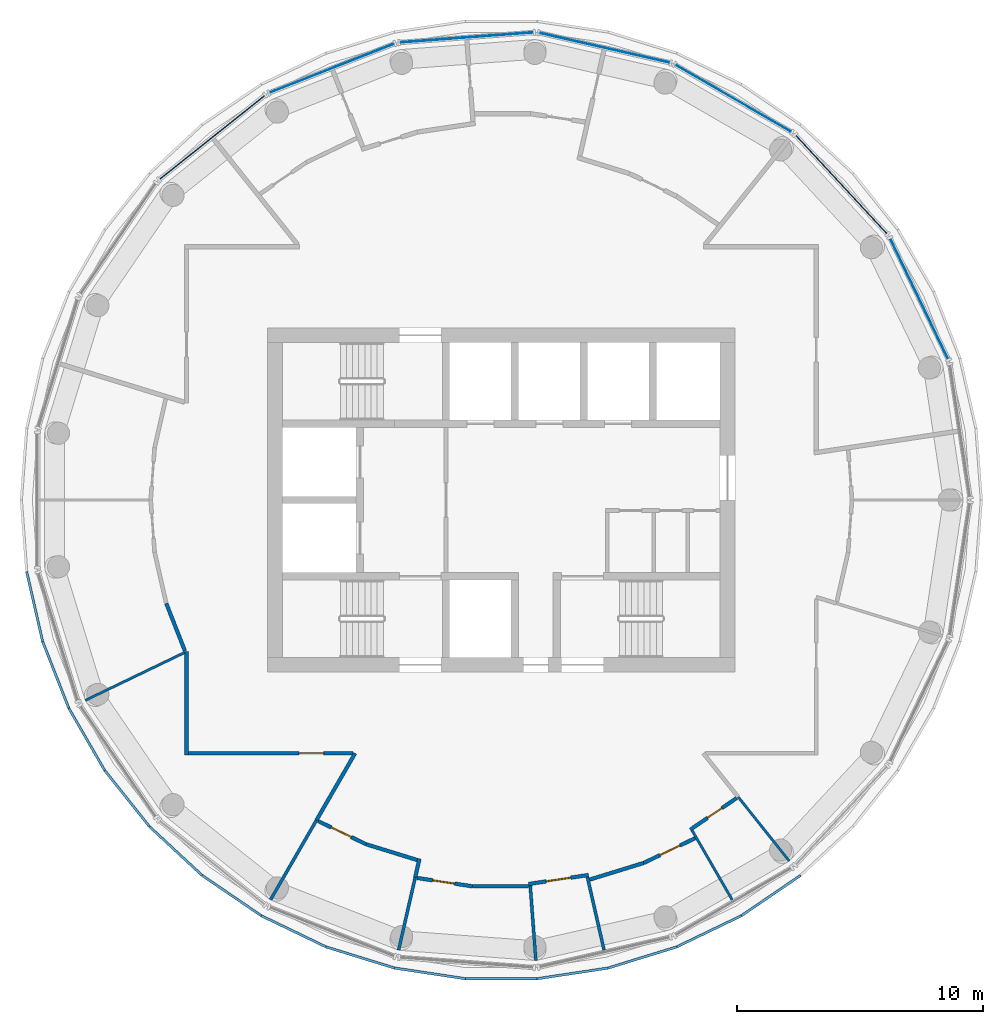
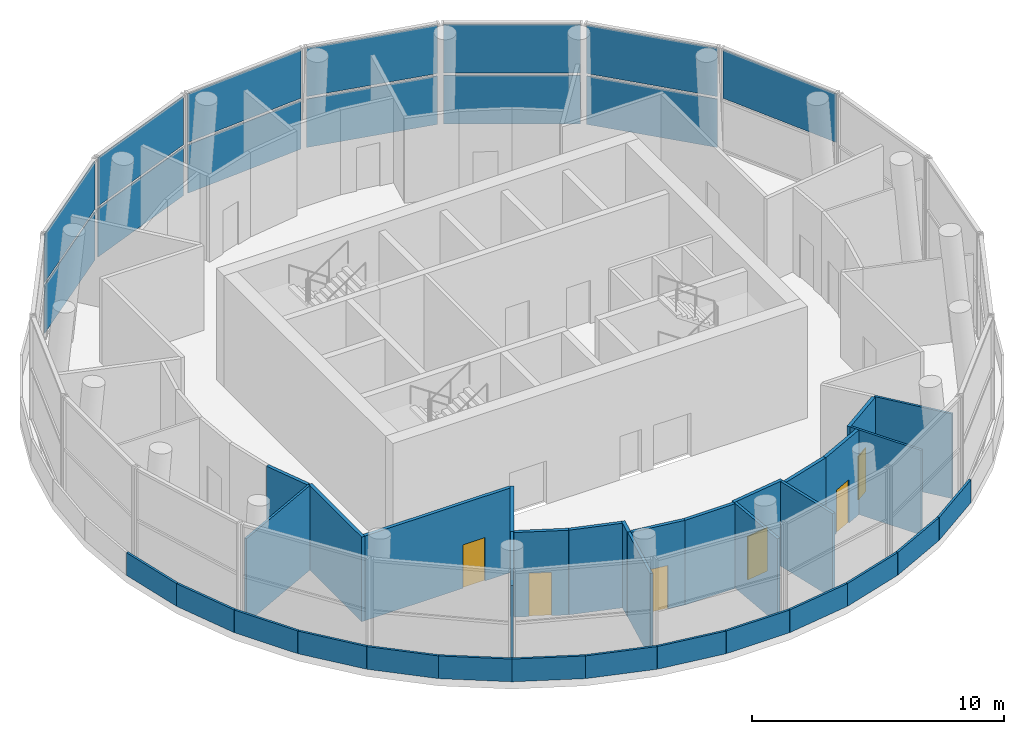
# One storey, part 4 of 10: 34 walls, 13 plates, 6 doors, 6 openings, 7 elements without a shape of their own.
"""IFC4 building model written with IfcOpenShell, lengths in metres."""

from ifc_helpers import new_model, si_unit, direction, frame, frame_2d, origin, origin_2d, place, context, subcontext, project, spatial, rectangle, extrude, material, layer, layer_set, type_object, element, fill, aggregate, save


model = new_model("IFC4")

# Units and contexts
model_context = context("Model", 3, precision=1e-05, world=origin(), true_north=direction((0.0, 1.0)))
body_context = subcontext(model_context, "Body", "Model", "MODEL_VIEW")
ifc_project = project(units=[si_unit("LENGTHUNIT", "METRE"), si_unit("AREAUNIT", "SQUARE_METRE"), si_unit("VOLUMEUNIT", "CUBIC_METRE"), si_unit("PLANEANGLEUNIT", "RADIAN"), si_unit("MASSUNIT", "GRAM", prefix="KILO")], contexts=[model_context])

# Site, building, storey
site_placement = place(None, origin())
site = spatial("IfcSite", under=ifc_project, at=site_placement, CompositionType="ELEMENT")
building_placement = place(site_placement, origin())
building = spatial("IfcBuilding", under=site, at=building_placement, Name="Tracery Tower", CompositionType="ELEMENT")
storey_placement = place(building_placement, frame((0.0, 0.0, 336.0)))
storey = spatial("IfcBuildingStorey", under=building, at=storey_placement, Name="L87", CompositionType="ELEMENT", Elevation=336.0)

# Curtain wall, plate
ifc_material_1 = material(Name="Aluminium curtain wall with tinted glass", Category="aluminium")
curtain_wall_type = type_object("IfcCurtainWallType", Name="Glazed crown lower curtain wall", PredefinedType="NOTDEFINED", material=ifc_material_1)
curtain_wall_1_placement = place(storey_placement, origin())
curtain_wall_1 = element("IfcCurtainWall", 1, at=curtain_wall_1_placement, inside=storey, type_object=curtain_wall_type, Name="Glazed crown lower run 01", PredefinedType="NOTDEFINED")
ifc_material_2 = material(Name="Tinted laminated glass", Category="glass")
ifc_layer_1 = layer(ifc_material_2, 0.031982421875)
ifc_layer_set_1 = layer_set([ifc_layer_1], Name="Glazed crown lower glass panel 32")
plate_type = type_object("IfcPlateType", Name="Glazed crown lower glass panel 32", PredefinedType="CURTAIN_PANEL", material=ifc_layer_set_1)
plate_1_placement = place(storey_placement, frame((16.991455078125, 8.1826171875, 2.5849609375), z_axis=(0.0, 0.0, 1.0), x_axis=(-0.433890715943, 0.900965508007, 0.0)))
plate_1 = element("IfcPlate", 2, at=plate_1_placement, type_object=plate_type, Name="CWB2 panel 1.2", PredefinedType="CURTAIN_PANEL", context=body_context, shape_type="SweptSolid", body=[
    extrude(rectangle(XDim=5.425048828125, YDim=0.031982421875, at=origin_2d()), origin(), (0.0, 0.0, 1.0), 2.344970703125),
])
aggregate(curtain_wall_1, [plate_1])

# Curtain wall, plates
curtain_wall_2_placement = place(storey_placement, origin())
curtain_wall_2 = element("IfcCurtainWall", 3, at=curtain_wall_2_placement, inside=storey, type_object=curtain_wall_type, Name="Glazed crown lower run 02", PredefinedType="NOTDEFINED")
plate_2_placement = place(storey_placement, frame((13.82470703125, 12.827392578125, 0.1201171875), z_axis=(0.0, 0.0, 1.0), x_axis=(-0.680181436899, 0.733043800123, 0.0)))
plate_2 = element("IfcPlate", 4, at=plate_2_placement, type_object=plate_type, Name="CWB2 panel 1.1", PredefinedType="CURTAIN_PANEL", context=body_context, shape_type="SweptSolid", body=[
    extrude(rectangle(XDim=5.425048828125, YDim=0.031982421875, at=origin_2d()), origin(), (0.0, 0.0, 1.0), 2.344970703125),
])
plate_3_placement = place(storey_placement, frame((13.82470703125, 12.827392578125, 2.5849609375), z_axis=(0.0, 0.0, 1.0), x_axis=(-0.680181436899, 0.733043800123, 0.0)))
plate_3 = element("IfcPlate", 5, at=plate_3_placement, type_object=plate_type, Name="CWB2 panel 1.2", PredefinedType="CURTAIN_PANEL", context=body_context, shape_type="SweptSolid", body=[
    extrude(rectangle(XDim=5.425048828125, YDim=0.031982421875, at=origin_2d()), origin(), (0.0, 0.0, 1.0), 2.344970703125),
])
aggregate(curtain_wall_2, [plate_2, plate_3])

curtain_wall_3_placement = place(storey_placement, origin())
curtain_wall_3 = element("IfcCurtainWall", 6, at=curtain_wall_3_placement, inside=storey, type_object=curtain_wall_type, Name="Glazed crown lower run 03", PredefinedType="NOTDEFINED")
plate_4_placement = place(storey_placement, frame((9.4296875, 16.33251953125, 0.1201171875), z_axis=(0.0, 0.0, 1.0), x_axis=(-0.866023370233, 0.500003522198, 0.0)))
plate_4 = element("IfcPlate", 7, at=plate_4_placement, type_object=plate_type, Name="CWB2 panel 1.1", PredefinedType="CURTAIN_PANEL", context=body_context, shape_type="SweptSolid", body=[
    extrude(rectangle(XDim=5.425048828125, YDim=0.031982421875, at=origin_2d()), origin(), (0.0, 0.0, 1.0), 2.344970703125),
])
plate_5_placement = place(storey_placement, frame((9.4296875, 16.33251953125, 2.5849609375), z_axis=(0.0, 0.0, 1.0), x_axis=(-0.866023370233, 0.500003522198, 0.0)))
plate_5 = element("IfcPlate", 8, at=plate_5_placement, type_object=plate_type, Name="CWB2 panel 1.2", PredefinedType="CURTAIN_PANEL", context=body_context, shape_type="SweptSolid", body=[
    extrude(rectangle(XDim=5.425048828125, YDim=0.031982421875, at=origin_2d()), origin(), (0.0, 0.0, 1.0), 2.344970703125),
])
aggregate(curtain_wall_3, [plate_4, plate_5])

curtain_wall_4_placement = place(storey_placement, origin())
curtain_wall_4 = element("IfcCurtainWall", 9, at=curtain_wall_4_placement, inside=storey, type_object=curtain_wall_type, Name="Glazed crown lower run 04", PredefinedType="NOTDEFINED")
plate_6_placement = place(storey_placement, frame((4.196533203125, 18.38623046875, 0.1201171875), z_axis=(0.0, 0.0, 1.0), x_axis=(-0.97492633652, 0.22252783727, 0.0)))
plate_6 = element("IfcPlate", 10, at=plate_6_placement, type_object=plate_type, Name="CWB2 panel 1.1", PredefinedType="CURTAIN_PANEL", context=body_context, shape_type="SweptSolid", body=[
    extrude(rectangle(XDim=5.425048828125, YDim=0.031982421875, at=origin_2d()), origin(), (0.0, 0.0, 1.0), 2.344970703125),
])
plate_7_placement = place(storey_placement, frame((4.196533203125, 18.38623046875, 2.5849609375), z_axis=(0.0, 0.0, 1.0), x_axis=(-0.97492633652, 0.22252783727, 0.0)))
plate_7 = element("IfcPlate", 11, at=plate_7_placement, type_object=plate_type, Name="CWB2 panel 1.2", PredefinedType="CURTAIN_PANEL", context=body_context, shape_type="SweptSolid", body=[
    extrude(rectangle(XDim=5.425048828125, YDim=0.031982421875, at=origin_2d()), origin(), (0.0, 0.0, 1.0), 2.344970703125),
])
aggregate(curtain_wall_4, [plate_6, plate_7])

curtain_wall_5_placement = place(storey_placement, origin())
curtain_wall_5 = element("IfcCurtainWall", 12, at=curtain_wall_5_placement, inside=storey, type_object=curtain_wall_type, Name="Glazed crown lower run 05", PredefinedType="NOTDEFINED")
plate_8_placement = place(storey_placement, frame((-1.409423828125, 18.806396484375, 0.1201171875), z_axis=(0.0, 0.0, 1.0), x_axis=(-0.997203466362, -0.074734507926, 0.0)))
plate_8 = element("IfcPlate", 13, at=plate_8_placement, type_object=plate_type, Name="CWB2 panel 1.1", PredefinedType="CURTAIN_PANEL", context=body_context, shape_type="SweptSolid", body=[
    extrude(rectangle(XDim=5.42529296875, YDim=0.031982421875, at=origin_2d()), origin(), (0.0, 0.0, 1.0), 2.344970703125),
])
plate_9_placement = place(storey_placement, frame((-1.409423828125, 18.806396484375, 2.5849609375), z_axis=(0.0, 0.0, 1.0), x_axis=(-0.997203466362, -0.074734507926, 0.0)))
plate_9 = element("IfcPlate", 14, at=plate_9_placement, type_object=plate_type, Name="CWB2 panel 1.2", PredefinedType="CURTAIN_PANEL", context=body_context, shape_type="SweptSolid", body=[
    extrude(rectangle(XDim=5.42529296875, YDim=0.031982421875, at=origin_2d()), origin(), (0.0, 0.0, 1.0), 2.344970703125),
])
aggregate(curtain_wall_5, [plate_8, plate_9])

curtain_wall_6_placement = place(storey_placement, origin())
curtain_wall_6 = element("IfcCurtainWall", 15, at=curtain_wall_6_placement, inside=storey, type_object=curtain_wall_type, Name="Glazed crown lower run 06", PredefinedType="NOTDEFINED")
plate_10_placement = place(storey_placement, frame((-6.89013671875, 17.555419921875, 0.1201171875), z_axis=(0.0, 0.0, 1.0), x_axis=(-0.930873527055, -0.365341588966, 0.0)))
plate_10 = element("IfcPlate", 16, at=plate_10_placement, type_object=plate_type, Name="CWB2 panel 1.1", PredefinedType="CURTAIN_PANEL", context=body_context, shape_type="SweptSolid", body=[
    extrude(rectangle(XDim=5.425048828125, YDim=0.031982421875, at=origin_2d()), origin(), (0.0, 0.0, 1.0), 2.344970703125),
])
plate_11_placement = place(storey_placement, frame((-6.89013671875, 17.555419921875, 2.5849609375), z_axis=(0.0, 0.0, 1.0), x_axis=(-0.930873527055, -0.365341588966, 0.0)))
plate_11 = element("IfcPlate", 17, at=plate_11_placement, type_object=plate_type, Name="CWB2 panel 1.2", PredefinedType="CURTAIN_PANEL", context=body_context, shape_type="SweptSolid", body=[
    extrude(rectangle(XDim=5.425048828125, YDim=0.031982421875, at=origin_2d()), origin(), (0.0, 0.0, 1.0), 2.344970703125),
])
aggregate(curtain_wall_6, [plate_10, plate_11])

curtain_wall_7_placement = place(storey_placement, origin())
curtain_wall_7 = element("IfcCurtainWall", 18, at=curtain_wall_7_placement, inside=storey, type_object=curtain_wall_type, Name="Glazed crown lower run 07", PredefinedType="NOTDEFINED")
plate_12_placement = place(storey_placement, frame((-11.758544921875, 14.74462890625, 0.1201171875), z_axis=(0.0, 0.0, 1.0), x_axis=(-0.781821731965, -0.623502028407, 0.0)))
plate_12 = element("IfcPlate", 19, at=plate_12_placement, type_object=plate_type, Name="CWB2 panel 1.1", PredefinedType="CURTAIN_PANEL", context=body_context, shape_type="SweptSolid", body=[
    extrude(rectangle(XDim=5.425048828125, YDim=0.031982421875, at=origin_2d()), origin(), (0.0, 0.0, 1.0), 2.344970703125),
])
plate_13_placement = place(storey_placement, frame((-11.758544921875, 14.74462890625, 2.5849609375), z_axis=(0.0, 0.0, 1.0), x_axis=(-0.781821731965, -0.623502028407, 0.0)))
plate_13 = element("IfcPlate", 20, at=plate_13_placement, type_object=plate_type, Name="CWB2 panel 1.2", PredefinedType="CURTAIN_PANEL", context=body_context, shape_type="SweptSolid", body=[
    extrude(rectangle(XDim=5.425048828125, YDim=0.031982421875, at=origin_2d()), origin(), (0.0, 0.0, 1.0), 2.344970703125),
])
aggregate(curtain_wall_7, [plate_12, plate_13])

# Wall
ifc_material_3 = material(Name="Plasterboard on steel studs", Category="steel")
ifc_layer_2 = layer(ifc_material_3, 0.14990234375)
ifc_layer_set_2 = layer_set([ifc_layer_2], Name="Corridor partition 150")
wall_type_1 = type_object("IfcWallType", Name="Corridor partition 150", PredefinedType="PARTITIONING", material=ifc_layer_set_2)
wall_1_placement = place(storey_placement, frame((-13.625244140625, -4.202880859375, 0.0), z_axis=(0.0, 0.0, 1.0), x_axis=(0.365387003941, -0.93085570168, 0.0)))
element("IfcWall", 21, at=wall_1_placement, inside=storey, type_object=wall_type_1, Name="Corridor partition 150", PredefinedType="PARTITIONING", context=body_context, shape_type="SweptSolid", body=[
    extrude(rectangle(XDim=2.078125, YDim=0.14990234375, at=frame_2d((1.0390625, 0.0))), origin(), (0.0, 0.0, 1.0), 4.10009765625),
])

# Wall, opening, door
wall_2_placement = place(storey_placement, frame((-6.033203125, -10.300048828125, 0.0), z_axis=(0.0, 0.0, 1.0), x_axis=(-1.0, 0.0, 0.0)))
wall_2 = element("IfcWall", 22, at=wall_2_placement, inside=storey, type_object=wall_type_1, Name="Corridor partition 150", PredefinedType="PARTITIONING", context=body_context, shape_type="SweptSolid", body=[
    extrude(rectangle(XDim=6.69189453125, YDim=0.14990234375, at=frame_2d((3.345947265625, 0.0))), origin(), (0.0, 0.0, 1.0), 4.10009765625),
])
opening_1_placement = place(wall_2_placement, frame((1.190185546875, 0.0, 0.0)))
opening_1 = element("IfcOpeningElement", 23, at=opening_1_placement, cuts=wall_2, Name="Opening SB-L87-12", PredefinedType="OPENING", context=body_context, shape_type="SweptSolid", body=[
    extrude(rectangle(XDim=1.0, YDim=2.10009765625, at=frame_2d((0.5, 1.050048828125))), frame((0.0, 0.074951171875, 0.0), z_axis=(0.0, -1.0, 0.0), x_axis=(1.0, 0.0, 0.0)), (0.0, 0.0, 1.0), 0.14990234375),
])
ifc_material_4 = material(Name="Timber door leaf", Category="wood")
door_type_1 = type_object("IfcDoorType", Name="Public room door 1000", OperationType="NOTDEFINED", PredefinedType="DOOR", material=ifc_material_4)
door_1_placement = place(opening_1_placement, origin())
door_1 = element("IfcDoor", 24, at=door_1_placement, inside=storey, type_object=door_type_1, Name="Public room door 1000", OperationType="SINGLE_SWING_RIGHT", OverallHeight=2.10009765625, OverallWidth=1.0, PredefinedType="DOOR", context=body_context, shape_type="SweptSolid", body=[
    extrude(rectangle(XDim=1.0, YDim=2.10009765625, at=frame_2d((0.5, 1.050048828125))), frame((0.0, 0.02490234375, 0.0), z_axis=(0.0, -1.0, 0.0), x_axis=(1.0, 0.0, 0.0)), (0.0, 0.0, 1.0), 0.050048828125),
])
fill(opening_1, door_1)

# Walls
wall_3_placement = place(storey_placement, frame((-12.800048828125, -6.164306640625, 0.0), z_axis=(0.0, 0.0, 1.0), x_axis=(0.0, -1.0, 0.0)))
element("IfcWall", 25, at=wall_3_placement, inside=storey, type_object=wall_type_1, Name="Corridor partition 150", PredefinedType="PARTITIONING", context=body_context, shape_type="SweptSolid", body=[
    extrude(rectangle(XDim=4.210693359375, YDim=0.14990234375, at=frame_2d((2.10546875, 0.0))), origin(), (0.0, 0.0, 1.0), 4.10009765625),
])
wall_4_placement = place(storey_placement, frame((-7.51953125, -13.024169921875, 0.0), z_axis=(0.0, 0.0, 1.0), x_axis=(0.499995674689, 0.86602790099, 0.0)))
element("IfcWall", 26, at=wall_4_placement, inside=storey, type_object=wall_type_1, Name="Corridor partition 150", PredefinedType="PARTITIONING", context=body_context, shape_type="SweptSolid", body=[
    extrude(rectangle(XDim=3.1455078125, YDim=0.14990234375, at=frame_2d((1.57275390625, 0.0))), origin(), (0.0, 0.0, 1.0), 4.10009765625),
])

# Wall, opening, door
wall_5_placement = place(storey_placement, frame((-5.494384765625, -13.999267578125, 0.0), z_axis=(0.0, 0.0, 1.0), x_axis=(-0.900959366127, 0.433903469205, 0.0)))
wall_5 = element("IfcWall", 27, at=wall_5_placement, inside=storey, type_object=wall_type_1, Name="Corridor partition 150", PredefinedType="PARTITIONING", context=body_context, shape_type="SweptSolid", body=[
    extrude(rectangle(XDim=2.17236328125, YDim=0.14990234375, at=frame_2d((1.086181640625, 0.0))), origin(), (0.0, 0.0, 1.0), 4.10009765625),
])
opening_2_placement = place(wall_5_placement, frame((0.673828125, 0.0, 0.0)))
opening_2 = element("IfcOpeningElement", 28, at=opening_2_placement, cuts=wall_5, Name="Opening SB-L87-13", PredefinedType="OPENING", context=body_context, shape_type="SweptSolid", body=[
    extrude(rectangle(XDim=0.89990234375, YDim=2.10009765625, at=frame_2d((0.449951171875, 1.050048828125))), frame((0.0, 0.074951171875, 0.0), z_axis=(0.0, -1.0, 0.0), x_axis=(1.0, 0.0, 0.0)), (0.0, 0.0, 1.0), 0.14990234375),
])
ifc_material_5 = material(Name="Timber door leaf", Category="wood")
door_type_2 = type_object("IfcDoorType", Name="Toilet door 900", OperationType="NOTDEFINED", PredefinedType="DOOR", material=ifc_material_5)
door_2_placement = place(opening_2_placement, origin())
door_2 = element("IfcDoor", 29, at=door_2_placement, inside=storey, type_object=door_type_2, Name="Toilet door 900", OperationType="SINGLE_SWING_RIGHT", OverallHeight=2.10009765625, OverallWidth=0.89990234375, PredefinedType="DOOR", context=body_context, shape_type="SweptSolid", body=[
    extrude(rectangle(XDim=0.89990234375, YDim=2.10009765625, at=frame_2d((0.449951171875, 1.050048828125))), frame((0.0, 0.02490234375, 0.0), z_axis=(0.0, -1.0, 0.0), x_axis=(1.0, 0.0, 0.0)), (0.0, 0.0, 1.0), 0.050048828125),
])
fill(opening_2, door_2)

# Walls
wall_6_placement = place(storey_placement, frame((-5.494384765625, -13.999267578125, 0.0), z_axis=(0.0, 0.0, 1.0), x_axis=(0.955545476431, -0.294843759426, 0.0)))
element("IfcWall", 30, at=wall_6_placement, inside=storey, type_object=wall_type_1, Name="Corridor partition 150", PredefinedType="PARTITIONING", context=body_context, shape_type="SweptSolid", body=[
    extrude(rectangle(XDim=2.1728515625, YDim=0.14990234375, at=frame_2d((1.08642578125, 0.0))), origin(), (0.0, 0.0, 1.0), 4.10009765625),
])
wall_7_placement = place(storey_placement, frame((-3.505126953125, -15.35693359375, 0.0), z_axis=(0.0, 0.0, 1.0), x_axis=(0.222505036885, 0.974931540448, 0.0)))
element("IfcWall", 31, at=wall_7_placement, inside=storey, type_object=wall_type_1, Name="Corridor partition 150", PredefinedType="PARTITIONING", context=body_context, shape_type="SweptSolid", body=[
    extrude(rectangle(XDim=0.787841796875, YDim=0.14990234375, at=frame_2d((0.39404296875, 0.0))), origin(), (0.0, 0.0, 1.0), 4.10009765625),
])

# Wall, opening, door
wall_8_placement = place(storey_placement, frame((-1.177001953125, -15.7080078125, 0.0), z_axis=(0.0, 0.0, 1.0), x_axis=(-0.988820552559, 0.149110411566, 0.0)))
wall_8 = element("IfcWall", 32, at=wall_8_placement, inside=storey, type_object=wall_type_1, Name="Corridor partition 150", PredefinedType="PARTITIONING", context=body_context, shape_type="SweptSolid", body=[
    extrude(rectangle(XDim=2.279052734375, YDim=0.14990234375, at=frame_2d((1.1396484375, 0.0))), origin(), (0.0, 0.0, 1.0), 4.10009765625),
])
opening_3_placement = place(wall_8_placement, frame((0.72705078125, 0.0, 0.0)))
opening_3 = element("IfcOpeningElement", 33, at=opening_3_placement, cuts=wall_8, Name="Opening SB-L87-14", PredefinedType="OPENING", context=body_context, shape_type="SweptSolid", body=[
    extrude(rectangle(XDim=0.89990234375, YDim=2.10009765625, at=frame_2d((0.449951171875, 1.050048828125))), frame((0.0, 0.074951171875, 0.0), z_axis=(0.0, -1.0, 0.0), x_axis=(1.0, 0.0, 0.0)), (0.0, 0.0, 1.0), 0.14990234375),
])
door_3_placement = place(opening_3_placement, origin())
door_3 = element("IfcDoor", 34, at=door_3_placement, inside=storey, type_object=door_type_2, Name="Toilet door 900", OperationType="SINGLE_SWING_RIGHT", OverallHeight=2.10009765625, OverallWidth=0.89990234375, PredefinedType="DOOR", context=body_context, shape_type="SweptSolid", body=[
    extrude(rectangle(XDim=0.89990234375, YDim=2.10009765625, at=frame_2d((0.449951171875, 1.050048828125))), frame((0.0, 0.02490234375, 0.0), z_axis=(0.0, -1.0, 0.0), x_axis=(1.0, 0.0, 0.0)), (0.0, 0.0, 1.0), 0.050048828125),
])
fill(opening_3, door_3)

# Wall
wall_9_placement = place(storey_placement, frame((-1.177001953125, -15.7080078125, 0.0), z_axis=(0.0, 0.0, 1.0), x_axis=(1.0, 0.0, 0.0)))
element("IfcWall", 35, at=wall_9_placement, inside=storey, type_object=wall_type_1, Name="Corridor partition 150", PredefinedType="PARTITIONING", context=body_context, shape_type="SweptSolid", body=[
    extrude(rectangle(XDim=2.28857421875, YDim=0.14990234375, at=frame_2d((1.144287109375, 0.0))), origin(), (0.0, 0.0, 1.0), 4.10009765625),
])

# Wall, opening, door
wall_10_placement = place(storey_placement, frame((3.544189453125, -15.248046875, 0.0), z_axis=(0.0, 0.0, 1.0), x_axis=(-0.988834373856, -0.149018727283, 0.0)))
wall_10 = element("IfcWall", 36, at=wall_10_placement, inside=storey, type_object=wall_type_1, Name="Corridor partition 150", PredefinedType="PARTITIONING", context=body_context, shape_type="SweptSolid", body=[
    extrude(rectangle(XDim=2.464111328125, YDim=0.14990234375, at=frame_2d((1.23193359375, 0.0))), origin(), (0.0, 0.0, 1.0), 4.10009765625),
])
opening_4_placement = place(wall_10_placement, frame((0.73193359375, 0.0, 0.0)))
opening_4 = element("IfcOpeningElement", 37, at=opening_4_placement, cuts=wall_10, Name="Opening SB-L87-15", PredefinedType="OPENING", context=body_context, shape_type="SweptSolid", body=[
    extrude(rectangle(XDim=1.0, YDim=2.10009765625, at=frame_2d((0.5, 1.050048828125))), frame((0.0, 0.074951171875, 0.0), z_axis=(0.0, -1.0, 0.0), x_axis=(1.0, 0.0, 0.0)), (0.0, 0.0, 1.0), 0.14990234375),
])
ifc_material_6 = material(Name="Timber door leaf", Category="wood")
door_type_3 = type_object("IfcDoorType", Name="Accessible toilet door 1000", OperationType="NOTDEFINED", PredefinedType="DOOR", material=ifc_material_6)
door_4_placement = place(opening_4_placement, origin())
door_4 = element("IfcDoor", 38, at=door_4_placement, inside=storey, type_object=door_type_3, Name="Accessible toilet door 1000", OperationType="SINGLE_SWING_RIGHT", OverallHeight=2.10009765625, OverallWidth=1.0, PredefinedType="DOOR", context=body_context, shape_type="SweptSolid", body=[
    extrude(rectangle(XDim=1.0, YDim=2.10009765625, at=frame_2d((0.5, 1.050048828125))), frame((0.0, 0.02490234375, 0.0), z_axis=(0.0, -1.0, 0.0), x_axis=(1.0, 0.0, 0.0)), (0.0, 0.0, 1.0), 0.050048828125),
])
fill(opening_4, door_4)

# Wall
wall_11_placement = place(storey_placement, frame((3.59033203125, -15.436279296875, 0.0), z_axis=(0.0, 0.0, 1.0), x_axis=(0.955584032729, 0.294718775094, 0.0)))
element("IfcWall", 39, at=wall_11_placement, inside=storey, type_object=wall_type_1, Name="Corridor partition 150", PredefinedType="PARTITIONING", context=body_context, shape_type="SweptSolid", body=[
    extrude(rectangle(XDim=2.3037109375, YDim=0.14990234375, at=frame_2d((1.15185546875, 0.0))), origin(), (0.0, 0.0, 1.0), 4.10009765625),
])

# Wall, opening, door
wall_12_placement = place(storey_placement, frame((7.87890625, -13.752197265625, 0.0), z_axis=(0.0, 0.0, 1.0), x_axis=(-0.900968102283, -0.433885328939, 0.0)))
wall_12 = element("IfcWall", 40, at=wall_12_placement, inside=storey, type_object=wall_type_1, Name="Corridor partition 150", PredefinedType="PARTITIONING", context=body_context, shape_type="SweptSolid", body=[
    extrude(rectangle(XDim=2.316650390625, YDim=0.14990234375, at=frame_2d((1.158203125, 0.0))), origin(), (0.0, 0.0, 1.0), 4.10009765625),
])
opening_5_placement = place(wall_12_placement, frame((0.681884765625, 0.0, 0.0)))
opening_5 = element("IfcOpeningElement", 41, at=opening_5_placement, cuts=wall_12, Name="Opening SB-L87-16", PredefinedType="OPENING", context=body_context, shape_type="SweptSolid", body=[
    extrude(rectangle(XDim=0.89990234375, YDim=2.10009765625, at=frame_2d((0.449951171875, 1.050048828125))), frame((0.0, 0.074951171875, 0.0), z_axis=(0.0, -1.0, 0.0), x_axis=(1.0, 0.0, 0.0)), (0.0, 0.0, 1.0), 0.14990234375),
])
ifc_material_7 = material(Name="Steel fire door", Category="steel")
door_type_4 = type_object("IfcDoorType", Name="Store door 900", OperationType="NOTDEFINED", PredefinedType="DOOR", material=ifc_material_7)
door_5_placement = place(opening_5_placement, origin())
door_5 = element("IfcDoor", 42, at=door_5_placement, inside=storey, type_object=door_type_4, Name="Store door 900", OperationType="SINGLE_SWING_RIGHT", OverallHeight=2.10009765625, OverallWidth=0.89990234375, PredefinedType="DOOR", context=body_context, shape_type="SweptSolid", body=[
    extrude(rectangle(XDim=0.89990234375, YDim=2.10009765625, at=frame_2d((0.449951171875, 1.050048828125))), frame((0.0, 0.02490234375, 0.0), z_axis=(0.0, -1.0, 0.0), x_axis=(1.0, 0.0, 0.0)), (0.0, 0.0, 1.0), 0.050048828125),
])
fill(opening_5, door_5)

wall_13_placement = place(storey_placement, frame((9.568359375, -12.11865234375, 0.0), z_axis=(0.0, 0.0, 1.0), x_axis=(-0.826281628647, -0.563257197168, 0.0)))
wall_13 = element("IfcWall", 43, at=wall_13_placement, inside=storey, type_object=wall_type_1, Name="Corridor partition 150", PredefinedType="PARTITIONING", context=body_context, shape_type="SweptSolid", body=[
    extrude(rectangle(XDim=2.283447265625, YDim=0.14990234375, at=frame_2d((1.1416015625, 0.0))), origin(), (0.0, 0.0, 1.0), 4.10009765625),
])
opening_6_placement = place(wall_13_placement, frame((0.72900390625, 0.0, 0.0)))
opening_6 = element("IfcOpeningElement", 44, at=opening_6_placement, cuts=wall_13, Name="Opening SB-L87-17", PredefinedType="OPENING", context=body_context, shape_type="SweptSolid", body=[
    extrude(rectangle(XDim=0.699951171875, YDim=2.10009765625, at=frame_2d((0.35009765625, 1.050048828125))), frame((0.0, 0.074951171875, 0.0), z_axis=(0.0, -1.0, 0.0), x_axis=(1.0, 0.0, 0.0)), (0.0, 0.0, 1.0), 0.14990234375),
])
ifc_material_8 = material(Name="Steel fire door", Category="steel")
door_type_5 = type_object("IfcDoorType", Name="Riser door 700", OperationType="NOTDEFINED", PredefinedType="DOOR", material=ifc_material_8)
door_6_placement = place(opening_6_placement, origin())
door_6 = element("IfcDoor", 45, at=door_6_placement, inside=storey, type_object=door_type_5, Name="Riser door 700", OperationType="SINGLE_SWING_RIGHT", OverallHeight=2.10009765625, OverallWidth=0.699951171875, PredefinedType="DOOR", context=body_context, shape_type="SweptSolid", body=[
    extrude(rectangle(XDim=0.699951171875, YDim=2.10009765625, at=frame_2d((0.35009765625, 1.050048828125))), frame((0.0, 0.02490234375, 0.0), z_axis=(0.0, -1.0, 0.0), x_axis=(1.0, 0.0, 0.0)), (0.0, 0.0, 1.0), 0.050048828125),
])
fill(opening_6, door_6)

# Walls
ifc_material_9 = material(Name="Tinted laminated glass", Category="glass")
ifc_layer_3 = layer(ifc_material_9, 0.10009765625)
ifc_layer_set_3 = layer_set([ifc_layer_3], Name="Crown ledge glass parapet 100")
wall_type_2 = type_object("IfcWallType", Name="Crown ledge glass parapet 100", PredefinedType="PARAPET", material=ifc_layer_set_3)
for number, where, z_axis, x_axis, name in (
    (46, (-19.302978515625, -2.914306640625, 0.0), (0.0, 0.0, 1.0), (0.222553532192, -0.974920471274, 0.0), "Crown ledge glass parapet L87 23"),
    (47, (-18.653076171875, -5.758544921875, 0.0), (0.0, 0.0, 1.0), (0.365332892382, -0.930876940172, 0.0), "Crown ledge glass parapet L87 24"),
):
    element("IfcWall", number, at=place(storey_placement, frame(where, z_axis=z_axis, x_axis=x_axis)), inside=storey, type_object=wall_type_2, Name=name, PredefinedType="PARAPET", context=body_context, shape_type="SweptSolid", body=[
        extrude(rectangle(XDim=2.908203125, YDim=0.10009765625, at=frame_2d((1.4541015625, 0.0))), origin(), (0.0, 0.0, 1.0), 1.10009765625),
    ])
wall_14_placement = place(storey_placement, frame((-17.58642578125, -8.474365234375, 0.0), z_axis=(0.0, 0.0, 1.0), x_axis=(0.49996709, -0.866044403548, 0.0)))
element("IfcWall", 48, at=wall_14_placement, inside=storey, type_object=wall_type_2, Name="Crown ledge glass parapet L87 25", PredefinedType="PARAPET", context=body_context, shape_type="SweptSolid", body=[
    extrude(rectangle(XDim=2.908447265625, YDim=0.10009765625, at=frame_2d((1.4541015625, 0.0))), origin(), (0.0, 0.0, 1.0), 1.10009765625),
])
for number, where, z_axis, x_axis, name in (
    (49, (-16.126953125, -11.0009765625, 0.0), (0.0, 0.0, 1.0), (0.623496489725, -0.781826149026, 0.0), "Crown ledge glass parapet L87 26"),
    (50, (-14.30712890625, -13.281494140625, 0.0), (0.0, 0.0, 1.0), (0.733014701813, -0.680212795327, 0.0), "Crown ledge glass parapet L87 27"),
):
    element("IfcWall", number, at=place(storey_placement, frame(where, z_axis=z_axis, x_axis=x_axis)), inside=storey, type_object=wall_type_2, Name=name, PredefinedType="PARAPET", context=body_context, shape_type="SweptSolid", body=[
        extrude(rectangle(XDim=2.908203125, YDim=0.10009765625, at=frame_2d((1.4541015625, 0.0))), origin(), (0.0, 0.0, 1.0), 1.10009765625),
    ])
wall_15_placement = place(storey_placement, frame((-12.16796875, -15.265625, 0.0), z_axis=(0.0, 0.0, 1.0), x_axis=(0.826271739983, -0.56327170327, 0.0)))
element("IfcWall", 51, at=wall_15_placement, inside=storey, type_object=wall_type_2, Name="Crown ledge glass parapet L87 28", PredefinedType="PARAPET", context=body_context, shape_type="SweptSolid", body=[
    extrude(rectangle(XDim=2.908447265625, YDim=0.10009765625, at=frame_2d((1.4541015625, 0.0))), origin(), (0.0, 0.0, 1.0), 1.10009765625),
])
for number, where, z_axis, x_axis, name in (
    (52, (-9.7568359375, -16.90869140625, 0.0), (0.0, 0.0, 1.0), (0.900993162802, -0.433833286626, 0.0), "Crown ledge glass parapet L87 29"),
    (53, (-7.127685546875, -18.174072265625, 0.0), (0.0, 0.0, 1.0), (0.955577309812, -0.294740572323, 0.0), "Crown ledge glass parapet L87 30"),
    (54, (-4.33935546875, -19.033203125, 0.0), (0.0, 0.0, 1.0), (0.9888233843, -0.149091631761, 0.0), "Crown ledge glass parapet L87 31"),
    (55, (-1.4541015625, -19.467529296875, 0.0), (0.0, 0.0, 1.0), (1.0, 0.0, 0.0), "Crown ledge glass parapet L87 32"),
    (56, (1.463623046875, -19.466796875, 0.0), (0.0, 0.0, 1.0), (0.9888233843, 0.149091631761, 0.0), "Crown ledge glass parapet L87 33"),
    (57, (4.3486328125, -19.03125, 0.0), (0.0, 0.0, 1.0), (0.955577309812, 0.294740572323, 0.0), "Crown ledge glass parapet L87 34"),
    (58, (7.136474609375, -18.17041015625, 0.0), (0.0, 0.0, 1.0), (0.900993162802, 0.433833286626, 0.0), "Crown ledge glass parapet L87 35"),
):
    element("IfcWall", number, at=place(storey_placement, frame(where, z_axis=z_axis, x_axis=x_axis)), inside=storey, type_object=wall_type_2, Name=name, PredefinedType="PARAPET", context=body_context, shape_type="SweptSolid", body=[
        extrude(rectangle(XDim=2.908203125, YDim=0.10009765625, at=frame_2d((1.4541015625, 0.0))), origin(), (0.0, 0.0, 1.0), 1.10009765625),
    ])
wall_16_placement = place(storey_placement, frame((9.764892578125, -16.90380859375, 0.0), z_axis=(0.0, 0.0, 1.0), x_axis=(0.826271739983, 0.56327170327, 0.0)))
element("IfcWall", 59, at=wall_16_placement, inside=storey, type_object=wall_type_2, Name="Crown ledge glass parapet L87 36", PredefinedType="PARAPET", context=body_context, shape_type="SweptSolid", body=[
    extrude(rectangle(XDim=2.908447265625, YDim=0.10009765625, at=frame_2d((1.4541015625, 0.0))), origin(), (0.0, 0.0, 1.0), 1.10009765625),
])
ifc_material_10 = material(Name="Plasterboard on steel studs", Category="steel")
ifc_layer_4 = layer(ifc_material_10, 0.10009765625)
ifc_layer_set_4 = layer_set([ifc_layer_4], Name="Stud partition 100")
wall_type_3 = type_object("IfcWallType", Name="Stud partition 100", PredefinedType="PARTITIONING", material=ifc_layer_set_4)
wall_17_placement = place(storey_placement, frame((-16.912353515625, -8.14453125, 0.0), z_axis=(0.0, 0.0, 1.0), x_axis=(0.900964597043, 0.433892607538, 0.0)))
element("IfcWall", 60, at=wall_17_placement, inside=storey, type_object=wall_type_3, Name="Stud partition 100", PredefinedType="PARTITIONING", context=body_context, shape_type="SweptSolid", body=[
    extrude(rectangle(XDim=4.481201171875, YDim=0.10009765625, at=frame_2d((2.24072265625, 0.0))), origin(), (0.0, 0.0, 1.0), 4.10009765625),
])
wall_18_placement = place(storey_placement, frame((9.3857421875, -16.256591796875, 0.0), z_axis=(0.0, 0.0, 1.0), x_axis=(-0.500008528526, 0.866020479782, 0.0)))
element("IfcWall", 61, at=wall_18_placement, inside=storey, type_object=wall_type_3, Name="Stud partition 100", PredefinedType="PARTITIONING", context=body_context, shape_type="SweptSolid", body=[
    extrude(rectangle(XDim=3.25048828125, YDim=0.10009765625, at=frame_2d((1.625244140625, 0.0))), origin(), (0.0, 0.0, 1.0), 4.10009765625),
])
wall_19_placement = place(storey_placement, frame((11.703857421875, -14.676025390625, 0.0), z_axis=(0.0, 0.0, 1.0), x_axis=(-0.623476602242, 0.781842008629, 0.0)))
element("IfcWall", 62, at=wall_19_placement, inside=storey, type_object=wall_type_3, Name="Stud partition 100", PredefinedType="PARTITIONING", context=body_context, shape_type="SweptSolid", body=[
    extrude(rectangle(XDim=3.3251953125, YDim=0.10009765625, at=frame_2d((1.66259765625, 0.0))), origin(), (0.0, 0.0, 1.0), 4.10009765625),
])
ifc_material_11 = material(Name="Plasterboard on steel studs", Category="steel")
ifc_layer_5 = layer(ifc_material_11, 0.125)
ifc_layer_set_5 = layer_set([ifc_layer_5], Name="Wet area partition 125")
wall_type_4 = type_object("IfcWallType", Name="Wet area partition 125", PredefinedType="PARTITIONING", material=ifc_layer_set_5)
wall_20_placement = place(storey_placement, frame((-9.3857421875, -16.256591796875, 0.0), z_axis=(0.0, 0.0, 1.0), x_axis=(0.499994232587, 0.866028733576, 0.0)))
element("IfcWall", 63, at=wall_20_placement, inside=storey, type_object=wall_type_4, Name="Wet area partition 125", PredefinedType="PARTITIONING", context=body_context, shape_type="SweptSolid", body=[
    extrude(rectangle(XDim=3.732421875, YDim=0.125, at=frame_2d((1.8662109375, 0.0))), origin(), (0.0, 0.0, 1.0), 4.10009765625),
])
wall_21_placement = place(storey_placement, frame((-4.177001953125, -18.30078125, 0.0), z_axis=(0.0, 0.0, 1.0), x_axis=(0.222508652229, 0.974930715325, 0.0)))
element("IfcWall", 64, at=wall_21_placement, inside=storey, type_object=wall_type_4, Name="Wet area partition 125", PredefinedType="PARTITIONING", context=body_context, shape_type="SweptSolid", body=[
    extrude(rectangle(XDim=3.01953125, YDim=0.125, at=frame_2d((1.509765625, 0.0))), origin(), (0.0, 0.0, 1.0), 4.10009765625),
])
for number, where, z_axis, x_axis, name in (
    (65, (1.40283203125, -18.718994140625, 0.0), (0.0, 0.0, 1.0), (-0.074760068025, 0.997201550455, 0.0), "Wet area partition 125"),
    (66, (4.177001953125, -18.30078125, 0.0), (0.0, 0.0, 1.0), (-0.222518012949, 0.974928578878, 0.0), "Wet area partition 125"),
):
    element("IfcWall", number, at=place(storey_placement, frame(where, z_axis=z_axis, x_axis=x_axis)), inside=storey, type_object=wall_type_4, Name=name, PredefinedType="PARTITIONING", context=body_context, shape_type="SweptSolid", body=[
        extrude(rectangle(XDim=3.046875, YDim=0.125, at=frame_2d((1.5234375, 0.0))), origin(), (0.0, 0.0, 1.0), 4.10009765625),
    ])

save(model, "model.ifc")
